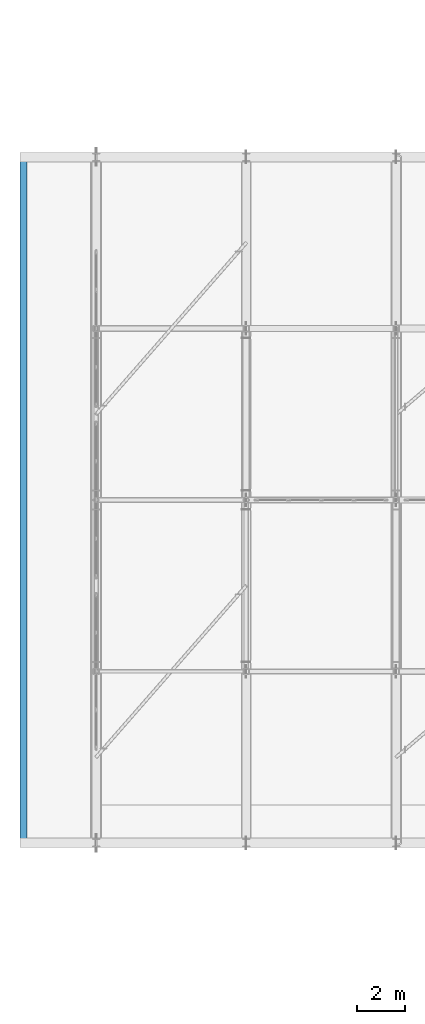
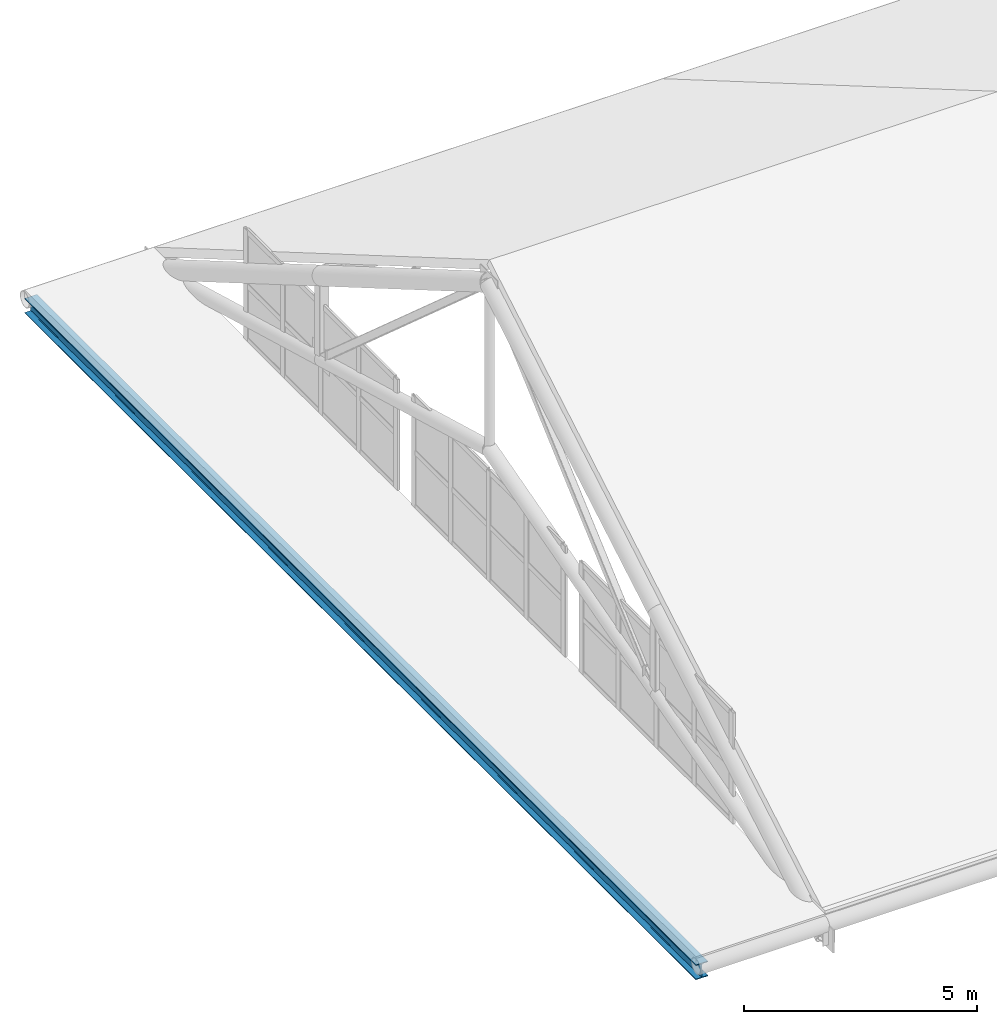
# One storey, part 5 of 54: 1 beam.
"""IFC4 building model written with IfcOpenShell, lengths in metres."""

from ifc_helpers import new_model, si_unit, direction, frame, origin, origin_2d, place, context, subcontext, project, spatial, i_section, extrude, material, material_profile, profile_set, type_object, element, save


model = new_model("IFC4")

# Units and contexts
model_context = context("Model", 3, precision=1e-05, world=origin(), true_north=direction((0.0, 1.0)))
body_context = subcontext(model_context, "Body", "Model", "MODEL_VIEW")
ifc_project = project(units=[si_unit("LENGTHUNIT", "METRE"), si_unit("AREAUNIT", "SQUARE_METRE"), si_unit("VOLUMEUNIT", "CUBIC_METRE"), si_unit("PLANEANGLEUNIT", "RADIAN"), si_unit("MASSUNIT", "GRAM", prefix="KILO")], contexts=[model_context])

# Site, building, storey
site_placement = place(None, origin())
site = spatial("IfcSite", under=ifc_project, at=site_placement, CompositionType="ELEMENT")
building_placement = place(site_placement, origin())
building = spatial("IfcBuilding", under=site, at=building_placement, Name="Zulmaris Art Gallery", CompositionType="ELEMENT")
storey_placement = place(building_placement, frame((0.0, 0.0, 26.39990234375)))
storey = spatial("IfcBuildingStorey", under=building, at=storey_placement, Name="L05", CompositionType="ELEMENT", Elevation=26.39990234375)

# Beam
ifc_material = material(Name="Steel S355J2", Category="steel")
ifc_material_profile = material_profile(ifc_material, i_section(OverallWidth=0.300048828125, OverallDepth=0.389892578125, WebThickness=0.010986328125, FlangeThickness=0.01904296875, FilletRadius=0.027099609375, at=origin_2d()), Name="HEA 400")
ifc_profile_set = profile_set([ifc_material_profile], Name="Steel S355J2")
beam_type = type_object("IfcBeamType", Name="BEAM-BM09", PredefinedType="BEAM", material=ifc_profile_set)
beam_placement = place(storey_placement, frame((8.35009765625, 21.60009765625, -0.414794921875), z_axis=(0.0, 1.0, 0.0), x_axis=(-1.0, 0.0, 0.0)))
element("IfcBeam", 1, at=beam_placement, inside=storey, type_object=beam_type, Name="Sunshade west edge beam", PredefinedType="BEAM", context=body_context, shape_type="SweptSolid", body=[
    extrude(i_section(OverallWidth=0.300048828125, OverallDepth=0.389892578125, WebThickness=0.010986328125, FlangeThickness=0.01904296875, FilletRadius=0.027099609375, at=origin_2d()), origin(), (0.0, 0.0, 1.0), 28.7998046875),
])

save(model, "model.ifc")
